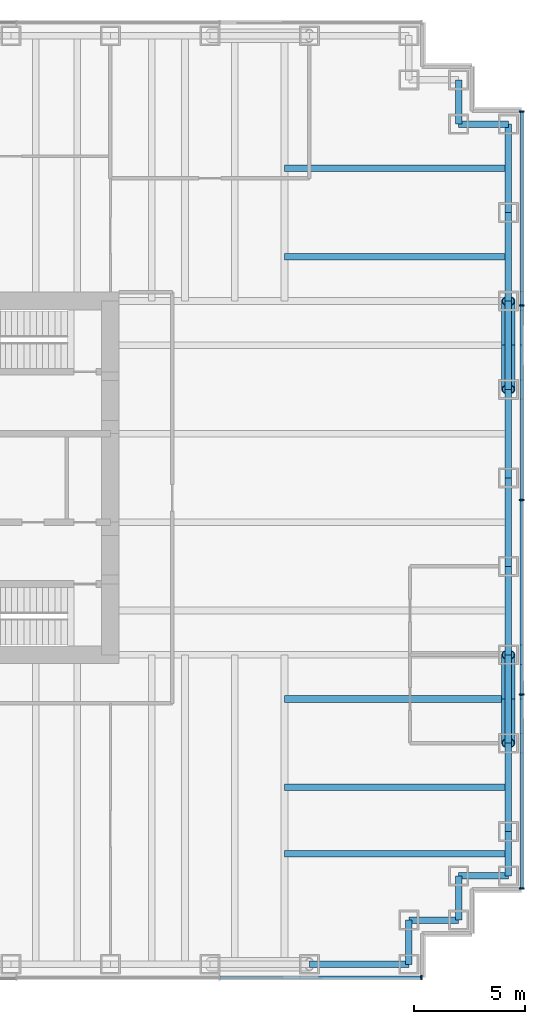
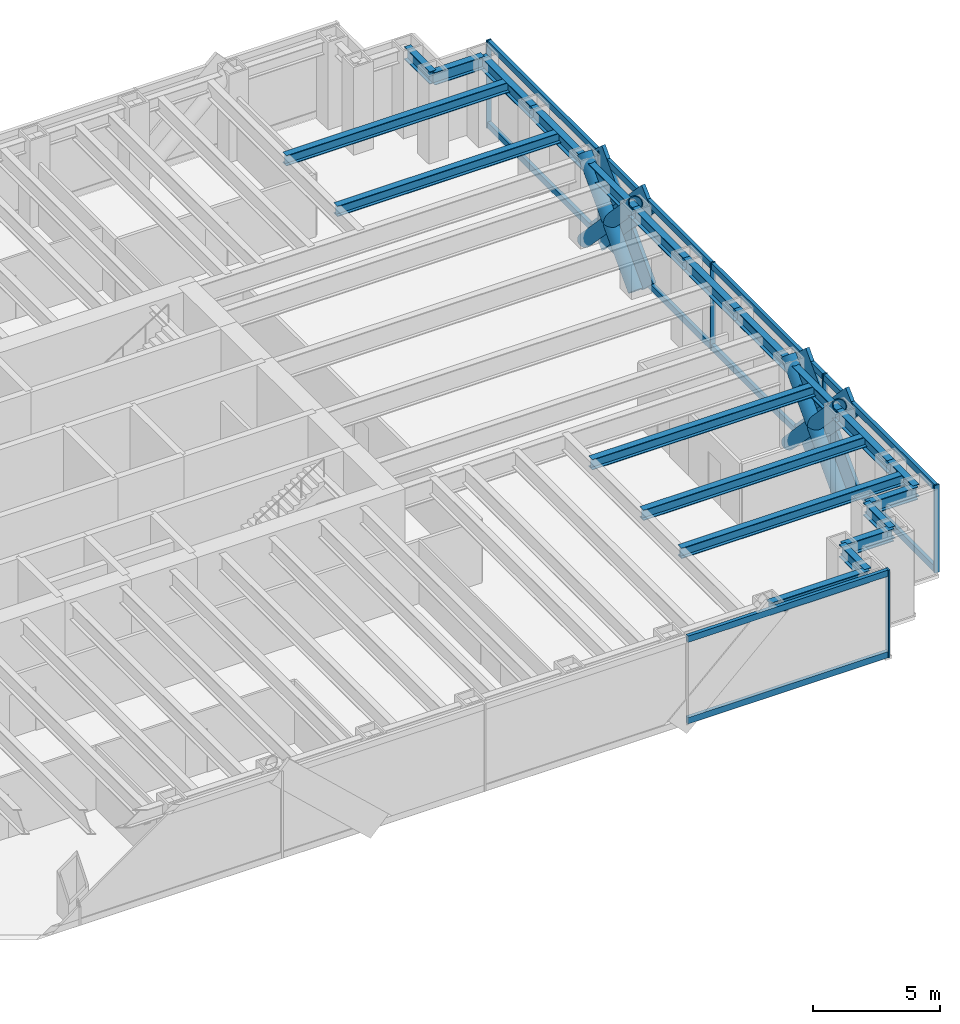
# One storey, part 8 of 19: 24 members, 21 beams, 2 elements without a shape of their own.
"""IFC4 building model written with IfcOpenShell, lengths in metres."""

from ifc_helpers import new_model, si_unit, direction, frame, origin, origin_2d, place, context, subcontext, project, spatial, rectangle, hollow_circle, i_section, extrude, material, material_profile, profile_set, type_object, element, aggregate, save


model = new_model("IFC4")

# Units and contexts
model_context = context("Model", 3, precision=1e-05, world=origin(), true_north=direction((0.0, 1.0)))
body_context = subcontext(model_context, "Body", "Model", "MODEL_VIEW")
ifc_project = project(units=[si_unit("LENGTHUNIT", "METRE"), si_unit("AREAUNIT", "SQUARE_METRE"), si_unit("VOLUMEUNIT", "CUBIC_METRE"), si_unit("PLANEANGLEUNIT", "RADIAN"), si_unit("MASSUNIT", "GRAM", prefix="KILO")], contexts=[model_context])

# Site, building, storey
site_placement = place(None, origin())
site = spatial("IfcSite", under=ifc_project, at=site_placement, CompositionType="ELEMENT")
building_placement = place(site_placement, origin())
building = spatial("IfcBuilding", under=site, at=building_placement, Name="Rheinbord Bourse Tower", CompositionType="ELEMENT")
storey_placement = place(building_placement, frame((0.0, 0.0, 206.800048828125)))
storey = spatial("IfcBuildingStorey", under=building, at=storey_placement, Name="L46", CompositionType="ELEMENT", Elevation=206.800048828125)

# Curtain wall, members
ifc_material_1 = material(Name="Dark glass and black aluminium", Category="aluminium")
curtain_wall_type = type_object("IfcCurtainWallType", Name="CW2 DARK GLASS CURTAIN WALL", PredefinedType="USERDEFINED", material=ifc_material_1)
curtain_wall_1_placement = place(storey_placement, origin())
curtain_wall_1 = element("IfcCurtainWall", 1, at=curtain_wall_1_placement, inside=storey, type_object=curtain_wall_type, Name="Curtain wall CW2 E L46", ObjectType="UNITISED CURTAIN WALL", PredefinedType="USERDEFINED")
ifc_material_2 = material(Name="Black anodised aluminium", Category="aluminium")
ifc_material_profile_1 = material_profile(ifc_material_2, rectangle(XDim=0.159912109375, YDim=1.2099609375, at=origin_2d()), Name="CW2 DIAGONAL MULLION 1210x160")
ifc_profile_set_1 = profile_set([ifc_material_profile_1], Name="Black anodised aluminium")
member_type_1 = type_object("IfcMemberType", Name="CW2 BLACK DIAGONAL MULLION", PredefinedType="USERDEFINED", material=ifc_profile_set_1)
member_1_placement = place(storey_placement, frame((72.60009765625, 32.0, 0.0), z_axis=(0.0, -0.689659376744, 0.724133926887), x_axis=(1.0, 0.0, 0.0)))
member_1 = element("IfcMember", 2, at=member_1_placement, type_object=member_type_1, Name="CW2 diagonal mullion a", ObjectType="DIAGONAL MULLION", PredefinedType="USERDEFINED", context=body_context, shape_type="SweptSolid", body=[
    extrude(rectangle(XDim=0.159912109375, YDim=1.2099609375, at=origin_2d()), origin(), (0.0, 0.0, 1.0), 5.800048828125),
])
member_2_placement = place(storey_placement, frame((72.60009765625, 12.0, 0.0), z_axis=(0.0, 0.689659376744, 0.724133926887), x_axis=(-1.0, 0.0, 0.0)))
member_2 = element("IfcMember", 3, at=member_2_placement, type_object=member_type_1, Name="CW2 diagonal mullion b", ObjectType="DIAGONAL MULLION", PredefinedType="USERDEFINED", context=body_context, shape_type="SweptSolid", body=[
    extrude(rectangle(XDim=0.159912109375, YDim=1.2099609375, at=origin_2d()), origin(), (0.0, 0.0, 1.0), 5.800048828125),
])
member_3_placement = place(storey_placement, frame((72.60009765625, 16.0, 0.0), z_axis=(0.0, -0.689659376744, 0.724133926887), x_axis=(1.0, 0.0, 0.0)))
member_3 = element("IfcMember", 4, at=member_3_placement, type_object=member_type_1, Name="CW2 diagonal mullion c", ObjectType="DIAGONAL MULLION", PredefinedType="USERDEFINED", context=body_context, shape_type="SweptSolid", body=[
    extrude(rectangle(XDim=0.159912109375, YDim=1.2099609375, at=origin_2d()), origin(), (0.0, 0.0, 1.0), 5.800048828125),
])
member_4_placement = place(storey_placement, frame((72.60009765625, 28.0, 0.0), z_axis=(0.0, 0.689659376744, 0.724133926887), x_axis=(-1.0, 0.0, 0.0)))
member_4 = element("IfcMember", 5, at=member_4_placement, type_object=member_type_1, Name="CW2 diagonal mullion d", ObjectType="DIAGONAL MULLION", PredefinedType="USERDEFINED", context=body_context, shape_type="SweptSolid", body=[
    extrude(rectangle(XDim=0.159912109375, YDim=1.2099609375, at=origin_2d()), origin(), (0.0, 0.0, 1.0), 5.800048828125),
])

# Curtain wall, member
curtain_wall_2_placement = place(storey_placement, origin())
curtain_wall_2 = element("IfcCurtainWall", 6, at=curtain_wall_2_placement, inside=storey, type_object=curtain_wall_type, Name="Curtain wall CW2 S L46", ObjectType="UNITISED CURTAIN WALL", PredefinedType="USERDEFINED")
ifc_material_3 = material(Name="Black anodised aluminium", Category="aluminium")
ifc_material_profile_2 = material_profile(ifc_material_3, rectangle(XDim=0.219970703125, YDim=0.070068359375, at=origin_2d()), Name="CW2 MULLION 70x220")
ifc_profile_set_2 = profile_set([ifc_material_profile_2], Name="Black anodised aluminium")
member_type_2 = type_object("IfcMemberType", Name="CW2 BLACK MULLION", PredefinedType="MULLION", material=ifc_profile_set_2)
member_5_placement = place(storey_placement, frame((68.06494140625, 1.39990234375, 0.0), z_axis=(0.0, 0.0, 1.0), x_axis=(0.0, 1.0, 0.0)))
member_5 = element("IfcMember", 7, at=member_5_placement, type_object=member_type_2, Name="CW2 mullion 8", PredefinedType="MULLION", context=body_context, shape_type="SweptSolid", body=[
    extrude(rectangle(XDim=0.219970703125, YDim=0.070068359375, at=origin_2d()), origin(), (0.0, 0.0, 1.0), 4.199951171875),
])

# Member
member_6_placement = place(storey_placement, frame((72.60009765625, 5.43505859375, 0.0), z_axis=(0.0, 0.0, 1.0), x_axis=(-1.0, 0.0, 0.0)))
member_6 = element("IfcMember", 8, at=member_6_placement, type_object=member_type_2, Name="CW2 mullion 1", PredefinedType="MULLION", context=body_context, shape_type="SweptSolid", body=[
    extrude(rectangle(XDim=0.219970703125, YDim=0.070068359375, at=origin_2d()), origin(), (0.0, 0.0, 1.0), 4.199951171875),
])

member_7_placement = place(storey_placement, frame((72.60009765625, 14.199951171875, 0.0), z_axis=(0.0, 0.0, 1.0), x_axis=(-1.0, 0.0, 0.0)))
member_7 = element("IfcMember", 9, at=member_7_placement, type_object=member_type_2, Name="CW2 mullion 2", PredefinedType="MULLION", context=body_context, shape_type="SweptSolid", body=[
    extrude(rectangle(XDim=0.219970703125, YDim=0.070068359375, at=origin_2d()), origin(), (0.0, 0.0, 1.0), 4.199951171875),
])

member_8_placement = place(storey_placement, frame((72.60009765625, 23.0, 0.0), z_axis=(0.0, 0.0, 1.0), x_axis=(-1.0, 0.0, 0.0)))
member_8 = element("IfcMember", 10, at=member_8_placement, type_object=member_type_2, Name="CW2 mullion 3", PredefinedType="MULLION", context=body_context, shape_type="SweptSolid", body=[
    extrude(rectangle(XDim=0.219970703125, YDim=0.070068359375, at=origin_2d()), origin(), (0.0, 0.0, 1.0), 4.199951171875),
])

member_9_placement = place(storey_placement, frame((72.60009765625, 31.800048828125, 0.0), z_axis=(0.0, 0.0, 1.0), x_axis=(-1.0, 0.0, 0.0)))
member_9 = element("IfcMember", 11, at=member_9_placement, type_object=member_type_2, Name="CW2 mullion 4", PredefinedType="MULLION", context=body_context, shape_type="SweptSolid", body=[
    extrude(rectangle(XDim=0.219970703125, YDim=0.070068359375, at=origin_2d()), origin(), (0.0, 0.0, 1.0), 4.199951171875),
])

member_10_placement = place(storey_placement, frame((72.60009765625, 40.56494140625, 0.0), z_axis=(0.0, 0.0, 1.0), x_axis=(-1.0, 0.0, 0.0)))
member_10 = element("IfcMember", 12, at=member_10_placement, type_object=member_type_2, Name="CW2 mullion 5", PredefinedType="MULLION", context=body_context, shape_type="SweptSolid", body=[
    extrude(rectangle(XDim=0.219970703125, YDim=0.070068359375, at=origin_2d()), origin(), (0.0, 0.0, 1.0), 4.199951171875),
])

ifc_material_4 = material(Name="Black anodised aluminium", Category="aluminium")
ifc_material_profile_3 = material_profile(ifc_material_4, rectangle(XDim=0.159912109375, YDim=0.300048828125, at=origin_2d()), Name="CW2 TRANSOM 300x160")
ifc_profile_set_3 = profile_set([ifc_material_profile_3], Name="Black anodised aluminium")
member_type_3 = type_object("IfcMemberType", Name="CW2 BLACK TRANSOM", PredefinedType="USERDEFINED", material=ifc_profile_set_3)
member_11_placement = place(storey_placement, frame((58.963623046875, 1.39990234375, 0.14990234375), z_axis=(1.0, 0.0, 0.0), x_axis=(0.0, 1.0, 0.0)))
member_11 = element("IfcMember", 13, at=member_11_placement, type_object=member_type_3, Name="CW2 transom 7.1", ObjectType="TRANSOM", PredefinedType="USERDEFINED", context=body_context, shape_type="SweptSolid", body=[
    extrude(rectangle(XDim=0.159912109375, YDim=0.300048828125, at=origin_2d()), origin(), (0.0, 0.0, 1.0), 9.06640625),
])

member_12_placement = place(storey_placement, frame((58.963623046875, 1.39990234375, 4.050048828125), z_axis=(1.0, 0.0, 0.0), x_axis=(0.0, 1.0, 0.0)))
member_12 = element("IfcMember", 14, at=member_12_placement, type_object=member_type_3, Name="CW2 transom 7.2", ObjectType="TRANSOM", PredefinedType="USERDEFINED", context=body_context, shape_type="SweptSolid", body=[
    extrude(rectangle(XDim=0.159912109375, YDim=0.300048828125, at=origin_2d()), origin(), (0.0, 0.0, 1.0), 9.06640625),
])

aggregate(curtain_wall_2, [member_5, member_11, member_12])

member_13_placement = place(storey_placement, frame((72.60009765625, 5.469970703125, 0.14990234375), z_axis=(0.0, 1.0, 0.0), x_axis=(-1.0, 0.0, 0.0)))
member_13 = element("IfcMember", 15, at=member_13_placement, type_object=member_type_3, Name="CW2 transom 1.1", ObjectType="TRANSOM", PredefinedType="USERDEFINED", context=body_context, shape_type="SweptSolid", body=[
    extrude(rectangle(XDim=0.159912109375, YDim=0.300048828125, at=origin_2d()), origin(), (0.0, 0.0, 1.0), 8.695068359375),
])

member_14_placement = place(storey_placement, frame((72.60009765625, 5.469970703125, 4.050048828125), z_axis=(0.0, 1.0, 0.0), x_axis=(-1.0, 0.0, 0.0)))
member_14 = element("IfcMember", 16, at=member_14_placement, type_object=member_type_3, Name="CW2 transom 1.2", ObjectType="TRANSOM", PredefinedType="USERDEFINED", context=body_context, shape_type="SweptSolid", body=[
    extrude(rectangle(XDim=0.159912109375, YDim=0.300048828125, at=origin_2d()), origin(), (0.0, 0.0, 1.0), 8.695068359375),
])

member_15_placement = place(storey_placement, frame((72.60009765625, 14.235107421875, 0.14990234375), z_axis=(0.0, 1.0, 0.0), x_axis=(-1.0, 0.0, 0.0)))
member_15 = element("IfcMember", 17, at=member_15_placement, type_object=member_type_3, Name="CW2 transom 2.1", ObjectType="TRANSOM", PredefinedType="USERDEFINED", context=body_context, shape_type="SweptSolid", body=[
    extrude(rectangle(XDim=0.159912109375, YDim=0.300048828125, at=origin_2d()), origin(), (0.0, 0.0, 1.0), 8.72998046875),
])

member_16_placement = place(storey_placement, frame((72.60009765625, 14.235107421875, 4.050048828125), z_axis=(0.0, 1.0, 0.0), x_axis=(-1.0, 0.0, 0.0)))
member_16 = element("IfcMember", 18, at=member_16_placement, type_object=member_type_3, Name="CW2 transom 2.2", ObjectType="TRANSOM", PredefinedType="USERDEFINED", context=body_context, shape_type="SweptSolid", body=[
    extrude(rectangle(XDim=0.159912109375, YDim=0.300048828125, at=origin_2d()), origin(), (0.0, 0.0, 1.0), 8.72998046875),
])

member_17_placement = place(storey_placement, frame((72.60009765625, 23.034912109375, 0.14990234375), z_axis=(0.0, 1.0, 0.0), x_axis=(-1.0, 0.0, 0.0)))
member_17 = element("IfcMember", 19, at=member_17_placement, type_object=member_type_3, Name="CW2 transom 3.1", ObjectType="TRANSOM", PredefinedType="USERDEFINED", context=body_context, shape_type="SweptSolid", body=[
    extrude(rectangle(XDim=0.159912109375, YDim=0.300048828125, at=origin_2d()), origin(), (0.0, 0.0, 1.0), 8.72998046875),
])

member_18_placement = place(storey_placement, frame((72.60009765625, 23.034912109375, 4.050048828125), z_axis=(0.0, 1.0, 0.0), x_axis=(-1.0, 0.0, 0.0)))
member_18 = element("IfcMember", 20, at=member_18_placement, type_object=member_type_3, Name="CW2 transom 3.2", ObjectType="TRANSOM", PredefinedType="USERDEFINED", context=body_context, shape_type="SweptSolid", body=[
    extrude(rectangle(XDim=0.159912109375, YDim=0.300048828125, at=origin_2d()), origin(), (0.0, 0.0, 1.0), 8.72998046875),
])

member_19_placement = place(storey_placement, frame((72.60009765625, 31.8349609375, 0.14990234375), z_axis=(0.0, 1.0, 0.0), x_axis=(-1.0, 0.0, 0.0)))
member_19 = element("IfcMember", 21, at=member_19_placement, type_object=member_type_3, Name="CW2 transom 4.1", ObjectType="TRANSOM", PredefinedType="USERDEFINED", context=body_context, shape_type="SweptSolid", body=[
    extrude(rectangle(XDim=0.159912109375, YDim=0.300048828125, at=origin_2d()), origin(), (0.0, 0.0, 1.0), 8.695068359375),
])

member_20_placement = place(storey_placement, frame((72.60009765625, 31.8349609375, 4.050048828125), z_axis=(0.0, 1.0, 0.0), x_axis=(-1.0, 0.0, 0.0)))
member_20 = element("IfcMember", 22, at=member_20_placement, type_object=member_type_3, Name="CW2 transom 4.2", ObjectType="TRANSOM", PredefinedType="USERDEFINED", context=body_context, shape_type="SweptSolid", body=[
    extrude(rectangle(XDim=0.159912109375, YDim=0.300048828125, at=origin_2d()), origin(), (0.0, 0.0, 1.0), 8.695068359375),
])

aggregate(curtain_wall_1, [member_6, member_7, member_8, member_9, member_10, member_13, member_14, member_15, member_16, member_17, member_18, member_19, member_20, member_1, member_2, member_3, member_4])

# Members
ifc_material_5 = material(Name="Steel S460", Category="steel")
ifc_material_profile_4 = material_profile(ifc_material_5, hollow_circle(Radius=0.304931640625, WallThickness=0.0400390625, at=origin_2d()), Name="CHS 610x40")
ifc_profile_set_4 = profile_set([ifc_material_profile_4], Name="Steel S460")
member_type_4 = type_object("IfcMemberType", Name="MEGABRACE CHS 610x40", PredefinedType="BRACE", material=ifc_profile_set_4)
for number, where, z_axis, x_axis, name in (
    (23, (72.0, 32.0, 0.0), (0.0, -0.689659376744, 0.724133926887), (1.0, 0.0, 0.0), "Megabrace E face line a L46"),
    (24, (72.0, 12.0, 0.0), (0.0, 0.689659376744, 0.724133926887), (-1.0, 0.0, 0.0), "Megabrace E face line b L46"),
    (25, (72.0, 16.0, 0.0), (0.0, -0.689659376744, 0.724133926887), (1.0, 0.0, 0.0), "Megabrace E face line c L46"),
    (26, (72.0, 28.0, 0.0), (0.0, 0.689659376744, 0.724133926887), (-1.0, 0.0, 0.0), "Megabrace E face line d L46"),
):
    element("IfcMember", number, at=place(storey_placement, frame(where, z_axis=z_axis, x_axis=x_axis)), inside=storey, type_object=member_type_4, Name=name, PredefinedType="BRACE", context=body_context, shape_type="SweptSolid", body=[
        extrude(hollow_circle(Radius=0.304931640625, WallThickness=0.0400390625, at=origin_2d()), origin(), (0.0, 0.0, 1.0), 5.800048828125),
    ])

# Beams
ifc_material_6 = material(Name="Steel S460", Category="steel")
ifc_material_profile_5 = material_profile(ifc_material_6, i_section(OverallWidth=0.300048828125, OverallDepth=0.60009765625, WebThickness=0.015380859375, FlangeThickness=0.030029296875, at=origin_2d()), Name="HEB 600")
ifc_profile_set_5 = profile_set([ifc_material_profile_5], Name="Steel S460")
beam_type_1 = type_object("IfcBeamType", Name="SPANDREL HEB 600", PredefinedType="SPANDREL", material=ifc_profile_set_5)
beam_1_placement = place(storey_placement, frame((63.0, 2.0, 3.739990234375), z_axis=(1.0, 0.0, 0.0), x_axis=(0.0, 1.0, 0.0)))
element("IfcBeam", 27, at=beam_1_placement, inside=storey, type_object=beam_type_1, Name="Spandrel S-63-SE-E under L47", PredefinedType="SPANDREL", context=body_context, shape_type="SweptSolid", body=[
    extrude(i_section(OverallWidth=0.300048828125, OverallDepth=0.60009765625, WebThickness=0.015380859375, FlangeThickness=0.030029296875, at=origin_2d()), origin(), (0.0, 0.0, 1.0), 4.5),
])
beam_2_placement = place(storey_placement, frame((67.5, 2.0, 3.739990234375), z_axis=(0.0, 1.0, 0.0), x_axis=(-1.0, 0.0, 0.0)))
element("IfcBeam", 28, at=beam_2_placement, inside=storey, type_object=beam_type_1, Name="Spandrel SE-E-SE-D under L47", PredefinedType="SPANDREL", context=body_context, shape_type="SweptSolid", body=[
    extrude(i_section(OverallWidth=0.300048828125, OverallDepth=0.60009765625, WebThickness=0.015380859375, FlangeThickness=0.030029296875, at=origin_2d()), origin(), (0.0, 0.0, 1.0), 2.0),
])
beam_3_placement = place(storey_placement, frame((67.5, 4.0, 3.739990234375), z_axis=(1.0, 0.0, 0.0), x_axis=(0.0, 1.0, 0.0)))
element("IfcBeam", 29, at=beam_3_placement, inside=storey, type_object=beam_type_1, Name="Spandrel SE-D-SE-C under L47", PredefinedType="SPANDREL", context=body_context, shape_type="SweptSolid", body=[
    extrude(i_section(OverallWidth=0.300048828125, OverallDepth=0.60009765625, WebThickness=0.015380859375, FlangeThickness=0.030029296875, at=origin_2d()), origin(), (0.0, 0.0, 1.0), 2.25),
])
beam_4_placement = place(storey_placement, frame((69.75, 4.0, 3.739990234375), z_axis=(0.0, 1.0, 0.0), x_axis=(-1.0, 0.0, 0.0)))
element("IfcBeam", 30, at=beam_4_placement, inside=storey, type_object=beam_type_1, Name="Spandrel SE-C-SE-B under L47", PredefinedType="SPANDREL", context=body_context, shape_type="SweptSolid", body=[
    extrude(i_section(OverallWidth=0.300048828125, OverallDepth=0.60009765625, WebThickness=0.015380859375, FlangeThickness=0.030029296875, at=origin_2d()), origin(), (0.0, 0.0, 1.0), 2.0),
])
beam_5_placement = place(storey_placement, frame((69.75, 6.0, 3.739990234375), z_axis=(1.0, 0.0, 0.0), x_axis=(0.0, 1.0, 0.0)))
element("IfcBeam", 31, at=beam_5_placement, inside=storey, type_object=beam_type_1, Name="Spandrel SE-B-SE-A under L47", PredefinedType="SPANDREL", context=body_context, shape_type="SweptSolid", body=[
    extrude(i_section(OverallWidth=0.300048828125, OverallDepth=0.60009765625, WebThickness=0.015380859375, FlangeThickness=0.030029296875, at=origin_2d()), origin(), (0.0, 0.0, 1.0), 2.25),
])
beam_6_placement = place(storey_placement, frame((72.0, 6.0, 3.739990234375), z_axis=(0.0, 1.0, 0.0), x_axis=(-1.0, 0.0, 0.0)))
element("IfcBeam", 32, at=beam_6_placement, inside=storey, type_object=beam_type_1, Name="Spandrel SE-A-E-8 under L47", PredefinedType="SPANDREL", context=body_context, shape_type="SweptSolid", body=[
    extrude(i_section(OverallWidth=0.300048828125, OverallDepth=0.60009765625, WebThickness=0.015380859375, FlangeThickness=0.030029296875, at=origin_2d()), origin(), (0.0, 0.0, 1.0), 2.0),
])
for number, where, z_axis, x_axis, name in (
    (33, (72.0, 8.0, 3.739990234375), (0.0, 1.0, 0.0), (-1.0, 0.0, 0.0), "Spandrel E-8-E-12 under L47"),
    (34, (72.0, 12.0, 3.739990234375), (0.0, 1.0, 0.0), (-1.0, 0.0, 0.0), "Spandrel E-12-E-16 under L47"),
    (35, (72.0, 16.0, 3.739990234375), (0.0, 1.0, 0.0), (-1.0, 0.0, 0.0), "Spandrel E-16-E-20 under L47"),
    (36, (72.0, 20.0, 3.739990234375), (0.0, 1.0, 0.0), (-1.0, 0.0, 0.0), "Spandrel E-20-E-24 under L47"),
    (37, (72.0, 24.0, 3.739990234375), (0.0, 1.0, 0.0), (-1.0, 0.0, 0.0), "Spandrel E-24-E-28 under L47"),
    (38, (72.0, 28.0, 3.739990234375), (0.0, 1.0, 0.0), (-1.0, 0.0, 0.0), "Spandrel E-28-E-32 under L47"),
    (39, (72.0, 32.0, 3.739990234375), (0.0, 1.0, 0.0), (-1.0, 0.0, 0.0), "Spandrel E-32-E-36 under L47"),
    (40, (72.0, 36.0, 3.739990234375), (0.0, 1.0, 0.0), (-1.0, 0.0, 0.0), "Spandrel E-36-NE-A under L47"),
):
    element("IfcBeam", number, at=place(storey_placement, frame(where, z_axis=z_axis, x_axis=x_axis)), inside=storey, type_object=beam_type_1, Name=name, PredefinedType="SPANDREL", context=body_context, shape_type="SweptSolid", body=[
        extrude(i_section(OverallWidth=0.300048828125, OverallDepth=0.60009765625, WebThickness=0.015380859375, FlangeThickness=0.030029296875, at=origin_2d()), origin(), (0.0, 0.0, 1.0), 4.0),
    ])
beam_7_placement = place(storey_placement, frame((72.0, 40.0, 3.739990234375), z_axis=(-1.0, 0.0, 0.0), x_axis=(0.0, -1.0, 0.0)))
element("IfcBeam", 41, at=beam_7_placement, inside=storey, type_object=beam_type_1, Name="Spandrel NE-A-NE-B under L47", PredefinedType="SPANDREL", context=body_context, shape_type="SweptSolid", body=[
    extrude(i_section(OverallWidth=0.300048828125, OverallDepth=0.60009765625, WebThickness=0.015380859375, FlangeThickness=0.030029296875, at=origin_2d()), origin(), (0.0, 0.0, 1.0), 2.25),
])
beam_8_placement = place(storey_placement, frame((69.75, 40.0, 3.739990234375), z_axis=(0.0, 1.0, 0.0), x_axis=(-1.0, 0.0, 0.0)))
element("IfcBeam", 42, at=beam_8_placement, inside=storey, type_object=beam_type_1, Name="Spandrel NE-B-NE-C under L47", PredefinedType="SPANDREL", context=body_context, shape_type="SweptSolid", body=[
    extrude(i_section(OverallWidth=0.300048828125, OverallDepth=0.60009765625, WebThickness=0.015380859375, FlangeThickness=0.030029296875, at=origin_2d()), origin(), (0.0, 0.0, 1.0), 2.0),
])
ifc_material_7 = material(Name="Steel S460", Category="steel")
ifc_material_profile_6 = material_profile(ifc_material_7, i_section(OverallWidth=0.300048828125, OverallDepth=0.5, WebThickness=0.014404296875, FlangeThickness=0.028076171875, at=origin_2d()), Name="HEB 500")
ifc_profile_set_6 = profile_set([ifc_material_profile_6], Name="Steel S460")
beam_type_2 = type_object("IfcBeamType", Name="TIE BEAM HEB 500", PredefinedType="JOIST", material=ifc_profile_set_6)
for number, where, z_axis, x_axis, name in (
    (43, (61.875, 7.0, 3.7900390625), (1.0, 0.0, 0.0), (0.0, 1.0, 0.0), "Tie east 7 L47"),
    (44, (61.875, 10.0, 3.7900390625), (1.0, 0.0, 0.0), (0.0, 1.0, 0.0), "Tie east 10 L47"),
    (45, (61.875, 14.0, 3.7900390625), (1.0, 0.0, 0.0), (0.0, 1.0, 0.0), "Tie east 14 L47"),
    (46, (61.875, 34.0, 3.7900390625), (1.0, 0.0, 0.0), (0.0, 1.0, 0.0), "Tie east 34 L47"),
    (47, (61.875, 38.0, 3.7900390625), (1.0, 0.0, 0.0), (0.0, 1.0, 0.0), "Tie east 38 L47"),
):
    element("IfcBeam", number, at=place(storey_placement, frame(where, z_axis=z_axis, x_axis=x_axis)), inside=storey, type_object=beam_type_2, Name=name, PredefinedType="JOIST", context=body_context, shape_type="SweptSolid", body=[
        extrude(i_section(OverallWidth=0.300048828125, OverallDepth=0.5, WebThickness=0.014404296875, FlangeThickness=0.028076171875, at=origin_2d()), origin(), (0.0, 0.0, 1.0), 10.125),
    ])

save(model, "model.ifc")
